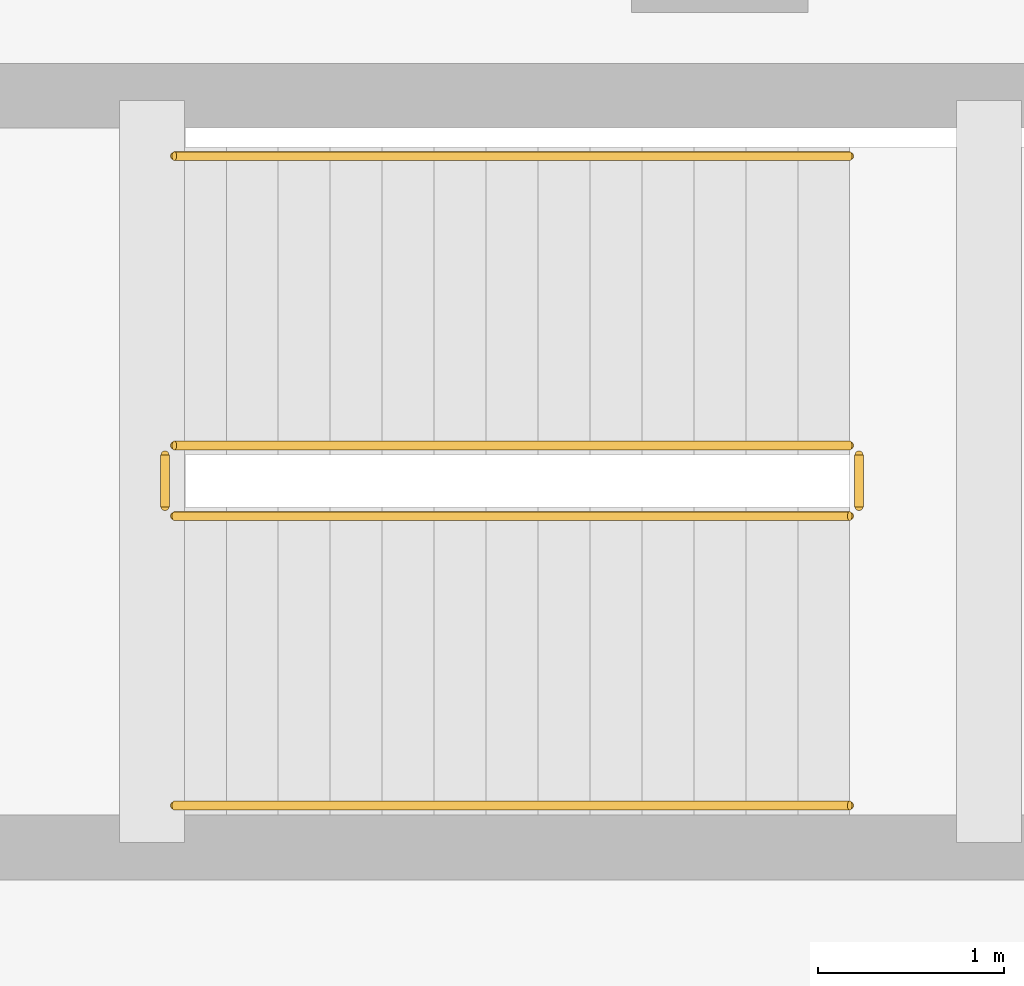
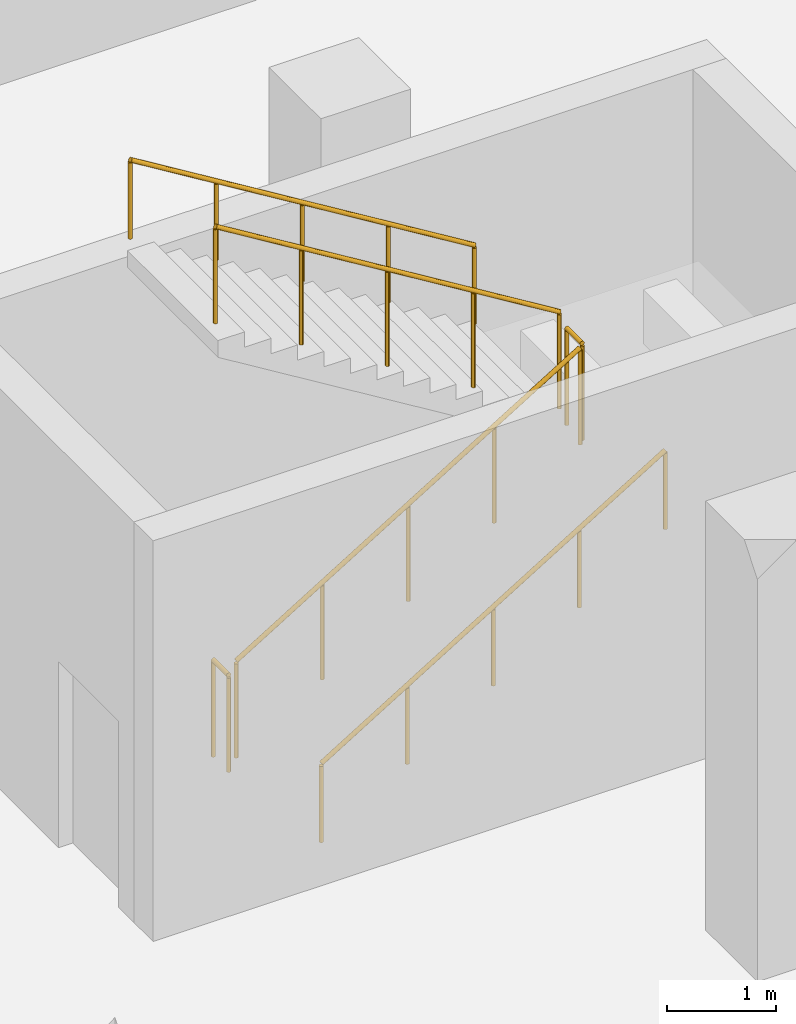
# One storey, part 87 of 90: 6 railings.
"""IFC4 building model written with IfcOpenShell, lengths in metres."""

from ifc_helpers import new_model, si_unit, direction, frame, origin, origin_2d, place, context, subcontext, project, spatial, circle, extrude, material, type_object, element, save


model = new_model("IFC4")

# Units and contexts
model_context = context("Model", 3, precision=1e-05, world=origin(), true_north=direction((0.0, 1.0)))
body_context = subcontext(model_context, "Body", "Model", "MODEL_VIEW")
ifc_project = project(units=[si_unit("LENGTHUNIT", "METRE"), si_unit("AREAUNIT", "SQUARE_METRE"), si_unit("VOLUMEUNIT", "CUBIC_METRE"), si_unit("PLANEANGLEUNIT", "RADIAN"), si_unit("MASSUNIT", "GRAM", prefix="KILO")], contexts=[model_context])

# Site, building, storey
site_placement = place(None, origin())
site = spatial("IfcSite", under=ifc_project, at=site_placement, CompositionType="ELEMENT")
building_placement = place(site_placement, origin())
building = spatial("IfcBuilding", under=site, at=building_placement, Name="Kelarvand Opera House", CompositionType="ELEMENT")
storey_placement = place(building_placement, frame((0.0, 0.0, 5.39990234375)))
storey = spatial("IfcBuildingStorey", under=building, at=storey_placement, Name="L01", CompositionType="ELEMENT", Elevation=5.39990234375)

# Railings
ifc_material_1 = material(Name="Brushed bronze tubular rail")
railing_type_1 = type_object("IfcRailingType", Name="Brushed Bronze Stair Wall Handrail 900", PredefinedType="HANDRAIL", material=ifc_material_1)
railing_1_placement = place(storey_placement, frame((63.4599609375, 73.64990234375, 0.171630859375)))
element("IfcRailing", 1, at=railing_1_placement, inside=storey, type_object=railing_type_1, Name="L01 ST-03 stair handrail 1", PredefinedType="HANDRAIL", context=body_context, shape_type="SweptSolid", body=[
    extrude(circle(Radius=0.02392578125, at=origin_2d()), frame((0.0, 0.0, 0.8759765625), z_axis=(0.852865859571, 0.0, 0.52213008492), x_axis=(0.0, 1.0, 0.0)), (0.0, 0.0, 1.0), 4.26806640625),
    extrude(circle(Radius=0.02099609375, at=origin_2d()), origin(), (0.0, 0.0, 1.0), 0.851806640625),
    extrude(circle(Radius=0.02099609375, at=origin_2d()), frame((0.91015625, 0.0, 0.55712890625)), (0.0, 0.0, 1.0), 0.851806640625),
    extrude(circle(Radius=0.02099609375, at=origin_2d()), frame((1.820068359375, 0.0, 1.1142578125)), (0.0, 0.0, 1.0), 0.851806640625),
    extrude(circle(Radius=0.02099609375, at=origin_2d()), frame((2.72998046875, 0.0, 1.67138671875)), (0.0, 0.0, 1.0), 0.851806640625),
    extrude(circle(Radius=0.02099609375, at=origin_2d()), frame((3.64013671875, 0.0, 2.228515625)), (0.0, 0.0, 1.0), 0.851806640625),
])
railing_2_placement = place(storey_placement, frame((67.10009765625, 77.14990234375, 2.571533203125)))
element("IfcRailing", 2, at=railing_2_placement, inside=storey, type_object=railing_type_1, Name="L01 ST-03 stair handrail 2", PredefinedType="HANDRAIL", context=body_context, shape_type="SweptSolid", body=[
    extrude(circle(Radius=0.02392578125, at=origin_2d()), frame((0.0, 0.0, 0.8759765625), z_axis=(-0.852865859571, 0.0, 0.52213008492), x_axis=(0.0, -1.0, 0.0)), (0.0, 0.0, 1.0), 4.26806640625),
    extrude(circle(Radius=0.02099609375, at=origin_2d()), origin(), (0.0, 0.0, 1.0), 0.851806640625),
    extrude(circle(Radius=0.02099609375, at=origin_2d()), frame((-0.91015625, 0.0, 0.55712890625)), (0.0, 0.0, 1.0), 0.851806640625),
    extrude(circle(Radius=0.02099609375, at=origin_2d()), frame((-1.820068359375, 0.0, 1.1142578125)), (0.0, 0.0, 1.0), 0.851806640625),
    extrude(circle(Radius=0.02099609375, at=origin_2d()), frame((-2.72998046875, 0.0, 1.67138671875)), (0.0, 0.0, 1.0), 0.851806640625),
    extrude(circle(Radius=0.02099609375, at=origin_2d()), frame((-3.64013671875, 0.0, 2.228515625)), (0.0, 0.0, 1.0), 0.851806640625),
])
ifc_material_2 = material(Name="Powder-coated Steel S355", Category="steel")
railing_type_2 = type_object("IfcRailingType", Name="Painted Steel Stair and Void Guardrail 1100", PredefinedType="GUARDRAIL", material=ifc_material_2)
railing_3_placement = place(storey_placement, frame((63.4599609375, 75.2099609375, 0.171630859375)))
element("IfcRailing", 3, at=railing_3_placement, inside=storey, type_object=railing_type_2, Name="L01 ST-03 stair guard 1", PredefinedType="GUARDRAIL", context=body_context, shape_type="SweptSolid", body=[
    extrude(circle(Radius=0.02392578125, at=origin_2d()), frame((0.0, 0.0, 1.076171875), z_axis=(0.852865859571, 0.0, 0.52213008492), x_axis=(0.0, 1.0, 0.0)), (0.0, 0.0, 1.0), 4.26806640625),
    extrude(circle(Radius=0.02099609375, at=origin_2d()), origin(), (0.0, 0.0, 1.0), 1.052001953125),
    extrude(circle(Radius=0.02099609375, at=origin_2d()), frame((0.91015625, 0.0, 0.55712890625)), (0.0, 0.0, 1.0), 1.052001953125),
    extrude(circle(Radius=0.02099609375, at=origin_2d()), frame((1.820068359375, 0.0, 1.1142578125)), (0.0, 0.0, 1.0), 1.052001953125),
    extrude(circle(Radius=0.02099609375, at=origin_2d()), frame((2.72998046875, 0.0, 1.67138671875)), (0.0, 0.0, 1.0), 1.052001953125),
    extrude(circle(Radius=0.02099609375, at=origin_2d()), frame((3.64013671875, 0.0, 2.228515625)), (0.0, 0.0, 1.0), 1.052001953125),
])
railing_4_placement = place(storey_placement, frame((67.14990234375, 75.260009765625, 2.400146484375)))
element("IfcRailing", 4, at=railing_4_placement, inside=storey, type_object=railing_type_2, Name="L01 ST-03 stair guard 2", PredefinedType="GUARDRAIL", context=body_context, shape_type="SweptSolid", body=[
    extrude(circle(Radius=0.02392578125, at=origin_2d()), frame((0.0, 0.0, 1.076171875), z_axis=(0.0, 1.0, 0.0), x_axis=(-1.0, 0.0, 0.0)), (0.0, 0.0, 1.0), 0.280029296875),
    extrude(circle(Radius=0.02099609375, at=origin_2d()), origin(), (0.0, 0.0, 1.0), 1.052001953125),
    extrude(circle(Radius=0.02099609375, at=origin_2d()), frame((0.0, 0.280029296875, 0.0)), (0.0, 0.0, 1.0), 1.052001953125),
])
railing_5_placement = place(storey_placement, frame((67.10009765625, 75.590087890625, 2.571533203125)))
element("IfcRailing", 5, at=railing_5_placement, inside=storey, type_object=railing_type_2, Name="L01 ST-03 stair guard 3", PredefinedType="GUARDRAIL", context=body_context, shape_type="SweptSolid", body=[
    extrude(circle(Radius=0.02392578125, at=origin_2d()), frame((0.0, 0.0, 1.076171875), z_axis=(-0.852865859571, 0.0, 0.52213008492), x_axis=(0.0, -1.0, 0.0)), (0.0, 0.0, 1.0), 4.26806640625),
    extrude(circle(Radius=0.02099609375, at=origin_2d()), origin(), (0.0, 0.0, 1.0), 1.052001953125),
    extrude(circle(Radius=0.02099609375, at=origin_2d()), frame((-0.91015625, 0.0, 0.55712890625)), (0.0, 0.0, 1.0), 1.052001953125),
    extrude(circle(Radius=0.02099609375, at=origin_2d()), frame((-1.820068359375, 0.0, 1.1142578125)), (0.0, 0.0, 1.0), 1.052001953125),
    extrude(circle(Radius=0.02099609375, at=origin_2d()), frame((-2.72998046875, 0.0, 1.67138671875)), (0.0, 0.0, 1.0), 1.052001953125),
    extrude(circle(Radius=0.02099609375, at=origin_2d()), frame((-3.64013671875, 0.0, 2.228515625)), (0.0, 0.0, 1.0), 1.052001953125),
])
railing_6_placement = place(storey_placement, frame((63.409912109375, 75.260009765625, 0.0)))
element("IfcRailing", 6, at=railing_6_placement, inside=storey, type_object=railing_type_2, Name="L01 ST-03 stair guard 4", PredefinedType="GUARDRAIL", context=body_context, shape_type="SweptSolid", body=[
    extrude(circle(Radius=0.02392578125, at=origin_2d()), frame((0.0, 0.0, 1.076171875), z_axis=(0.0, 1.0, 0.0), x_axis=(-1.0, 0.0, 0.0)), (0.0, 0.0, 1.0), 0.280029296875),
    extrude(circle(Radius=0.02099609375, at=origin_2d()), origin(), (0.0, 0.0, 1.0), 1.052001953125),
    extrude(circle(Radius=0.02099609375, at=origin_2d()), frame((0.0, 0.280029296875, 0.0)), (0.0, 0.0, 1.0), 1.052001953125),
])

save(model, "model.ifc")
